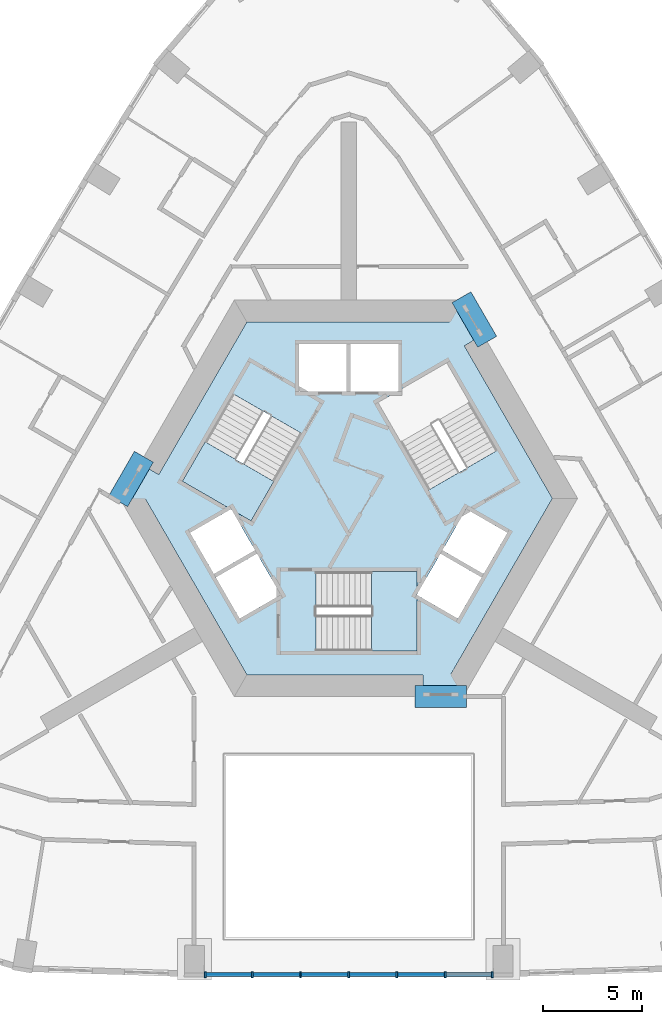
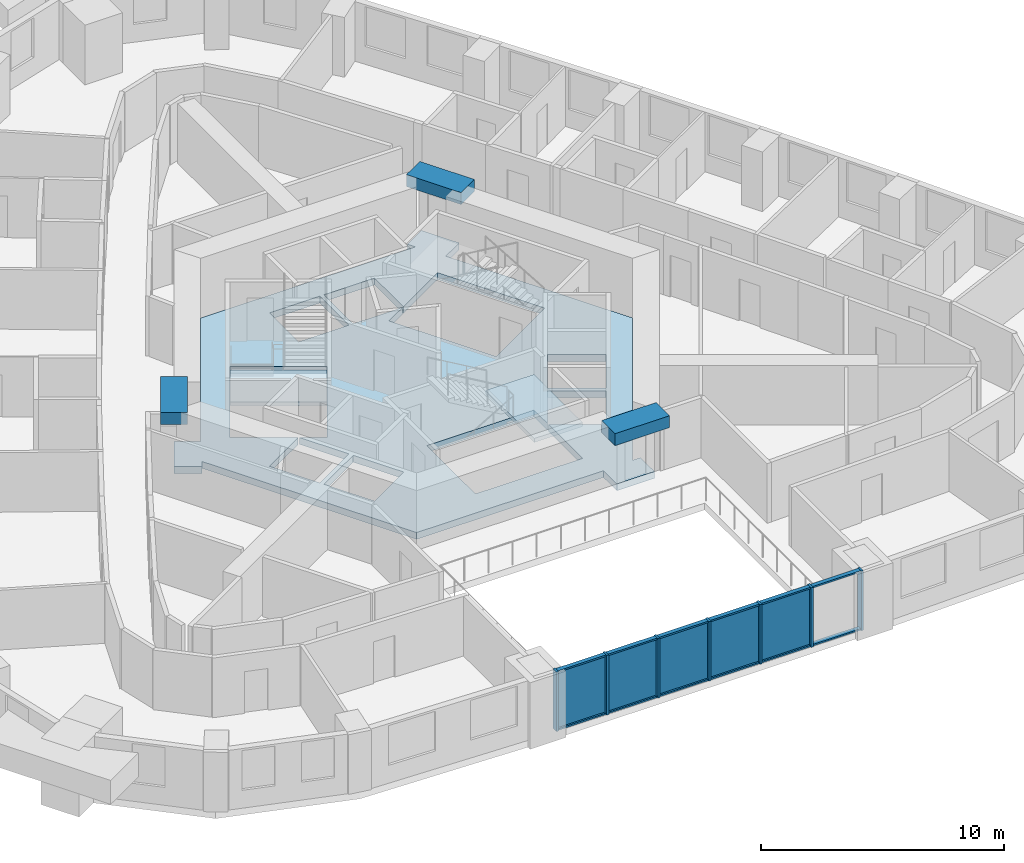
# One storey, part 2 of 12: 19 members, 5 plates, 3 beams, 3 slabs, 3 elements without a shape of their own.
"""IFC4 building model written with IfcOpenShell, lengths in metres."""

from ifc_helpers import new_model, si_unit, direction, frame, origin, origin_2d, place, context, subcontext, project, spatial, polyline, rectangle, outline, extrude, material, layer, layer_set, material_profile, profile_set, type_object, element, aggregate, save


model = new_model("IFC4")

# Units and contexts
model_context = context("Model", 3, precision=1e-05, world=origin(), true_north=direction((0.0, 1.0)))
body_context = subcontext(model_context, "Body", "Model", "MODEL_VIEW")
ifc_project = project(units=[si_unit("LENGTHUNIT", "METRE"), si_unit("AREAUNIT", "SQUARE_METRE"), si_unit("VOLUMEUNIT", "CUBIC_METRE"), si_unit("PLANEANGLEUNIT", "RADIAN"), si_unit("MASSUNIT", "GRAM", prefix="KILO")], contexts=[model_context])

# Site, building, storey
site_placement = place(None, origin())
site = spatial("IfcSite", under=ifc_project, at=site_placement, CompositionType="ELEMENT")
building_placement = place(site_placement, origin())
building = spatial("IfcBuilding", under=site, at=building_placement, Name="Entoto Arch Interchange Tower", CompositionType="ELEMENT")
storey_placement = place(building_placement, frame((0.0, 0.0, 277.39990234375)))
storey = spatial("IfcBuildingStorey", under=building, at=storey_placement, Name="L64", CompositionType="ELEMENT", Elevation=277.39990234375)

# Beams
ifc_material_1 = material(Name="Concrete C40/50", Category="concrete")
ifc_material_profile_1 = material_profile(ifc_material_1, rectangle(XDim=1.10009765625, YDim=0.60009765625, at=origin_2d()))
ifc_profile_set_1 = profile_set([ifc_material_profile_1], Name="Concrete C40/50")
beam_type = type_object("IfcBeamType", Name="Coupling beam RC 1100x600 C40/50", PredefinedType="BEAM", material=ifc_profile_set_1)
beam_1_placement = place(storey_placement, frame((6.986083984375, 10.40087890625, 2.7001953125), z_axis=(-0.500379508478, 0.865806183562, 0.0), x_axis=(-0.865806183562, -0.500379508478, 0.0)))
element("IfcBeam", 1, at=beam_1_placement, inside=storey, type_object=beam_type, Name="Coupling beam NE L64", PredefinedType="BEAM", context=body_context, shape_type="SweptSolid", body=[
    extrude(rectangle(XDim=1.10009765625, YDim=0.60009765625, at=origin_2d()), origin(), (0.0, 0.0, 1.0), 2.59423828125),
])
beam_2_placement = place(storey_placement, frame((-10.3359375, 4.59912109375, 2.7001953125), z_axis=(-0.499814819145, -0.866132291606, 0.0), x_axis=(0.866132291606, -0.499814819145, 0.0)))
element("IfcBeam", 2, at=beam_2_placement, inside=storey, type_object=beam_type, Name="Coupling beam NW L64", PredefinedType="BEAM", context=body_context, shape_type="SweptSolid", body=[
    extrude(rectangle(XDim=1.10009765625, YDim=0.60009765625, at=origin_2d()), origin(), (0.0, 0.0, 1.0), 2.59326171875),
])
beam_3_placement = place(storey_placement, frame((3.35009765625, -7.5, 2.7001953125), z_axis=(1.0, 0.0, 0.0), x_axis=(0.0, 1.0, 0.0)))
element("IfcBeam", 3, at=beam_3_placement, inside=storey, type_object=beam_type, Name="Coupling beam S L64", PredefinedType="BEAM", context=body_context, shape_type="SweptSolid", body=[
    extrude(rectangle(XDim=1.10009765625, YDim=0.60009765625, at=origin_2d()), origin(), (0.0, 0.0, 1.0), 2.593994140625),
])

# Curtain wall, members
ifc_material_2 = material(Name="Aluminium, anodised", Category="aluminium")
curtain_wall_type = type_object("IfcCurtainWallType", Name="CURTAIN WALL ATRIUM", PredefinedType="NOTDEFINED", material=ifc_material_2)
curtain_wall_placement = place(storey_placement, origin())
curtain_wall = element("IfcCurtainWall", 4, at=curtain_wall_placement, inside=storey, type_object=curtain_wall_type, Name="Atrium glazing S-02 L64", PredefinedType="NOTDEFINED")
ifc_material_profile_2 = material_profile(ifc_material_2, rectangle(XDim=0.300048828125, YDim=0.10009765625, at=origin_2d()))
ifc_profile_set_2 = profile_set([ifc_material_profile_2], Name="Aluminium, anodised")
member_type_1 = type_object("IfcMemberType", Name="MULLION ATRIUM 100x300", PredefinedType="MULLION", material=ifc_profile_set_2)
member_1_placement = place(storey_placement, frame((-7.2490234375, -21.52490234375, 0.0), z_axis=(0.0, 0.0, 1.0), x_axis=(0.0, 1.0, 0.0)))
member_1 = element("IfcMember", 5, at=member_1_placement, type_object=member_type_1, Name="CWA mullion 1", PredefinedType="MULLION", context=body_context, shape_type="SweptSolid", body=[
    extrude(rectangle(XDim=0.300048828125, YDim=0.10009765625, at=origin_2d()), origin(), (0.0, 0.0, 1.0), 3.0),
])
member_2_placement = place(storey_placement, frame((-4.865966796875, -21.52490234375, 0.0), z_axis=(0.0, 0.0, 1.0), x_axis=(0.0, 1.0, 0.0)))
member_2 = element("IfcMember", 6, at=member_2_placement, type_object=member_type_1, Name="CWA mullion 2", PredefinedType="MULLION", context=body_context, shape_type="SweptSolid", body=[
    extrude(rectangle(XDim=0.300048828125, YDim=0.10009765625, at=origin_2d()), origin(), (0.0, 0.0, 1.0), 3.0),
])
member_3_placement = place(storey_placement, frame((-2.43310546875, -21.52490234375, 0.0), z_axis=(0.0, 0.0, 1.0), x_axis=(0.0, 1.0, 0.0)))
member_3 = element("IfcMember", 7, at=member_3_placement, type_object=member_type_1, Name="CWA mullion 3", PredefinedType="MULLION", context=body_context, shape_type="SweptSolid", body=[
    extrude(rectangle(XDim=0.300048828125, YDim=0.10009765625, at=origin_2d()), origin(), (0.0, 0.0, 1.0), 3.0),
])
member_4_placement = place(storey_placement, frame((0.0, -21.52490234375, 0.0), z_axis=(0.0, 0.0, 1.0), x_axis=(0.0, 1.0, 0.0)))
member_4 = element("IfcMember", 8, at=member_4_placement, type_object=member_type_1, Name="CWA mullion 4", PredefinedType="MULLION", context=body_context, shape_type="SweptSolid", body=[
    extrude(rectangle(XDim=0.300048828125, YDim=0.10009765625, at=origin_2d()), origin(), (0.0, 0.0, 1.0), 3.0),
])
member_5_placement = place(storey_placement, frame((2.43310546875, -21.52490234375, 0.0), z_axis=(0.0, 0.0, 1.0), x_axis=(0.0, 1.0, 0.0)))
member_5 = element("IfcMember", 9, at=member_5_placement, type_object=member_type_1, Name="CWA mullion 5", PredefinedType="MULLION", context=body_context, shape_type="SweptSolid", body=[
    extrude(rectangle(XDim=0.300048828125, YDim=0.10009765625, at=origin_2d()), origin(), (0.0, 0.0, 1.0), 3.0),
])
member_6_placement = place(storey_placement, frame((4.865966796875, -21.52490234375, 0.0), z_axis=(0.0, 0.0, 1.0), x_axis=(0.0, 1.0, 0.0)))
member_6 = element("IfcMember", 10, at=member_6_placement, type_object=member_type_1, Name="CWA mullion 6", PredefinedType="MULLION", context=body_context, shape_type="SweptSolid", body=[
    extrude(rectangle(XDim=0.300048828125, YDim=0.10009765625, at=origin_2d()), origin(), (0.0, 0.0, 1.0), 3.0),
])
member_7_placement = place(storey_placement, frame((7.2490234375, -21.52490234375, 0.0), z_axis=(0.0, 0.0, 1.0), x_axis=(0.0, 1.0, 0.0)))
member_7 = element("IfcMember", 11, at=member_7_placement, type_object=member_type_1, Name="CWA mullion 7", PredefinedType="MULLION", context=body_context, shape_type="SweptSolid", body=[
    extrude(rectangle(XDim=0.300048828125, YDim=0.10009765625, at=origin_2d()), origin(), (0.0, 0.0, 1.0), 3.0),
])
ifc_material_profile_3 = material_profile(ifc_material_2, rectangle(XDim=0.199951171875, YDim=0.080078125, at=origin_2d()))
ifc_profile_set_3 = profile_set([ifc_material_profile_3], Name="Aluminium, anodised")
member_type_2 = type_object("IfcMemberType", Name="TRANSOM ATRIUM 80x200", PredefinedType="USERDEFINED", material=ifc_profile_set_3)
member_8_placement = place(storey_placement, frame((-7.198974609375, -21.52490234375, 0.0400390625), z_axis=(1.0, 0.0, 0.0), x_axis=(0.0, 1.0, 0.0)))
member_8 = element("IfcMember", 12, at=member_8_placement, type_object=member_type_2, Name="CWA transom 1.1", ObjectType="TRANSOM", PredefinedType="USERDEFINED", context=body_context, shape_type="SweptSolid", body=[
    extrude(rectangle(XDim=0.199951171875, YDim=0.080078125, at=origin_2d()), origin(), (0.0, 0.0, 1.0), 2.282958984375),
])
member_9_placement = place(storey_placement, frame((-7.198974609375, -21.52490234375, 2.960205078125), z_axis=(1.0, 0.0, 0.0), x_axis=(0.0, 1.0, 0.0)))
member_9 = element("IfcMember", 13, at=member_9_placement, type_object=member_type_2, Name="CWA transom 1.2", ObjectType="TRANSOM", PredefinedType="USERDEFINED", context=body_context, shape_type="SweptSolid", body=[
    extrude(rectangle(XDim=0.199951171875, YDim=0.080078125, at=origin_2d()), origin(), (0.0, 0.0, 1.0), 2.282958984375),
])
member_10_placement = place(storey_placement, frame((-4.81591796875, -21.52490234375, 0.0400390625), z_axis=(1.0, 0.0, 0.0), x_axis=(0.0, 1.0, 0.0)))
member_10 = element("IfcMember", 14, at=member_10_placement, type_object=member_type_2, Name="CWA transom 2.1", ObjectType="TRANSOM", PredefinedType="USERDEFINED", context=body_context, shape_type="SweptSolid", body=[
    extrude(rectangle(XDim=0.199951171875, YDim=0.080078125, at=origin_2d()), origin(), (0.0, 0.0, 1.0), 2.3330078125),
])
member_11_placement = place(storey_placement, frame((-4.81591796875, -21.52490234375, 2.960205078125), z_axis=(1.0, 0.0, 0.0), x_axis=(0.0, 1.0, 0.0)))
member_11 = element("IfcMember", 15, at=member_11_placement, type_object=member_type_2, Name="CWA transom 2.2", ObjectType="TRANSOM", PredefinedType="USERDEFINED", context=body_context, shape_type="SweptSolid", body=[
    extrude(rectangle(XDim=0.199951171875, YDim=0.080078125, at=origin_2d()), origin(), (0.0, 0.0, 1.0), 2.3330078125),
])
member_12_placement = place(storey_placement, frame((-2.383056640625, -21.52490234375, 0.0400390625), z_axis=(1.0, 0.0, 0.0), x_axis=(0.0, 1.0, 0.0)))
member_12 = element("IfcMember", 16, at=member_12_placement, type_object=member_type_2, Name="CWA transom 3.1", ObjectType="TRANSOM", PredefinedType="USERDEFINED", context=body_context, shape_type="SweptSolid", body=[
    extrude(rectangle(XDim=0.199951171875, YDim=0.080078125, at=origin_2d()), origin(), (0.0, 0.0, 1.0), 2.3330078125),
])
member_13_placement = place(storey_placement, frame((-2.383056640625, -21.52490234375, 2.960205078125), z_axis=(1.0, 0.0, 0.0), x_axis=(0.0, 1.0, 0.0)))
member_13 = element("IfcMember", 17, at=member_13_placement, type_object=member_type_2, Name="CWA transom 3.2", ObjectType="TRANSOM", PredefinedType="USERDEFINED", context=body_context, shape_type="SweptSolid", body=[
    extrude(rectangle(XDim=0.199951171875, YDim=0.080078125, at=origin_2d()), origin(), (0.0, 0.0, 1.0), 2.3330078125),
])
member_14_placement = place(storey_placement, frame((0.050048828125, -21.52490234375, 0.0400390625), z_axis=(1.0, 0.0, 0.0), x_axis=(0.0, 1.0, 0.0)))
member_14 = element("IfcMember", 18, at=member_14_placement, type_object=member_type_2, Name="CWA transom 4.1", ObjectType="TRANSOM", PredefinedType="USERDEFINED", context=body_context, shape_type="SweptSolid", body=[
    extrude(rectangle(XDim=0.199951171875, YDim=0.080078125, at=origin_2d()), origin(), (0.0, 0.0, 1.0), 2.3330078125),
])
member_15_placement = place(storey_placement, frame((0.050048828125, -21.52490234375, 2.960205078125), z_axis=(1.0, 0.0, 0.0), x_axis=(0.0, 1.0, 0.0)))
member_15 = element("IfcMember", 19, at=member_15_placement, type_object=member_type_2, Name="CWA transom 4.2", ObjectType="TRANSOM", PredefinedType="USERDEFINED", context=body_context, shape_type="SweptSolid", body=[
    extrude(rectangle(XDim=0.199951171875, YDim=0.080078125, at=origin_2d()), origin(), (0.0, 0.0, 1.0), 2.3330078125),
])
member_16_placement = place(storey_placement, frame((2.48291015625, -21.52490234375, 0.0400390625), z_axis=(1.0, 0.0, 0.0), x_axis=(0.0, 1.0, 0.0)))
member_16 = element("IfcMember", 20, at=member_16_placement, type_object=member_type_2, Name="CWA transom 5.1", ObjectType="TRANSOM", PredefinedType="USERDEFINED", context=body_context, shape_type="SweptSolid", body=[
    extrude(rectangle(XDim=0.199951171875, YDim=0.080078125, at=origin_2d()), origin(), (0.0, 0.0, 1.0), 2.3330078125),
])
member_17_placement = place(storey_placement, frame((2.48291015625, -21.52490234375, 2.960205078125), z_axis=(1.0, 0.0, 0.0), x_axis=(0.0, 1.0, 0.0)))
member_17 = element("IfcMember", 21, at=member_17_placement, type_object=member_type_2, Name="CWA transom 5.2", ObjectType="TRANSOM", PredefinedType="USERDEFINED", context=body_context, shape_type="SweptSolid", body=[
    extrude(rectangle(XDim=0.199951171875, YDim=0.080078125, at=origin_2d()), origin(), (0.0, 0.0, 1.0), 2.3330078125),
])
member_18_placement = place(storey_placement, frame((4.916015625, -21.52490234375, 0.0400390625), z_axis=(1.0, 0.0, 0.0), x_axis=(0.0, 1.0, 0.0)))
member_18 = element("IfcMember", 22, at=member_18_placement, type_object=member_type_2, Name="CWA transom 6.1", ObjectType="TRANSOM", PredefinedType="USERDEFINED", context=body_context, shape_type="SweptSolid", body=[
    extrude(rectangle(XDim=0.199951171875, YDim=0.080078125, at=origin_2d()), origin(), (0.0, 0.0, 1.0), 2.282958984375),
])
member_19_placement = place(storey_placement, frame((4.916015625, -21.52490234375, 2.960205078125), z_axis=(1.0, 0.0, 0.0), x_axis=(0.0, 1.0, 0.0)))
member_19 = element("IfcMember", 23, at=member_19_placement, type_object=member_type_2, Name="CWA transom 6.2", ObjectType="TRANSOM", PredefinedType="USERDEFINED", context=body_context, shape_type="SweptSolid", body=[
    extrude(rectangle(XDim=0.199951171875, YDim=0.080078125, at=origin_2d()), origin(), (0.0, 0.0, 1.0), 2.282958984375),
])

# Slab
ifc_layer_1 = layer(ifc_material_1, 0.340087890625)
ifc_layer_set_1 = layer_set([ifc_layer_1], Name="Concrete C40/50")
slab_type_1 = type_object("IfcSlabType", Name="Core floor slab 340 C40/50", PredefinedType="FLOOR", material=ifc_layer_set_1)
slab_1_placement = place(storey_placement, frame((0.0, 0.0, -0.33984375)))
element("IfcSlab", 24, at=slab_1_placement, inside=storey, type_object=slab_type_1, Name="Core floor slab L64", PredefinedType="FLOOR", context=body_context, shape_type="SweptSolid", body=[
    extrude(outline(polyline([(-10.248046875, 2.449951171875), (-10.43701171875, 2.1240234375), (-11.431884765625, 2.698974609375), (-10.535888671875, 4.2529296875), (-9.5830078125, 3.702880859375), (-5.137939453125, 11.39990234375), (5.0810546875, 11.39990234375), (4.89306640625, 11.72607421875), (5.887939453125, 12.301025390625), (6.784912109375, 10.7470703125), (5.8330078125, 10.197021484375), (10.277099609375, 2.5), (5.1669921875, -6.35009765625), (5.5439453125, -6.35009765625), (5.5439453125, -7.5), (3.75, -7.5), (3.75, -6.39990234375), (-5.137939453125, -6.39990234375), (-10.248046875, 2.449951171875)]), holes=[polyline([(-1.64990234375, -5.199951171875), (3.449951171875, -5.199951171875), (3.449951171875, -2.3779296875), (5.5048828125, -3.56494140625), (6.705078125, -1.487060546875), (4.626953125, -0.287109375), (3.449951171875, -2.324951171875), (3.449951171875, -1.199951171875), (-1.64990234375, -1.199951171875), (-1.64990234375, -5.199951171875)]), polyline([(-4.626953125, -0.287109375), (-6.705078125, -1.487060546875), (-5.5048828125, -3.56494140625), (-3.427001953125, -2.364990234375), (-4.626953125, -0.287109375)]), polyline([(-5.904052734375, 1.925048828125), (-4.928955078125, 1.362060546875), (-2.37890625, 5.779052734375), (-5.843017578125, 7.779052734375), (-8.39306640625, 3.362060546875), (-5.949951171875, 1.951904296875), (-8.0048828125, 0.764892578125), (-6.804931640625, -1.31298828125), (-4.72705078125, -0.113037109375), (-5.904052734375, 1.925048828125)]), polyline([(4.72705078125, -0.113037109375), (6.804931640625, -1.31298828125), (8.0048828125, 0.764892578125), (5.927001953125, 1.965087890625), (4.72705078125, -0.113037109375)]), polyline([(2.5, 7.927001953125), (2.5, 10.300048828125), (0.10009765625, 10.300048828125), (0.10009765625, 7.89990234375), (2.452880859375, 7.89990234375), (1.47900390625, 7.337890625), (4.029052734375, 2.9208984375), (7.492919921875, 4.9208984375), (4.943115234375, 9.337890625), (2.5, 7.927001953125)]), polyline([(-2.5, 7.89990234375), (-0.10009765625, 7.89990234375), (-0.10009765625, 10.300048828125), (-2.5, 10.300048828125), (-2.5, 7.89990234375)])]), origin(), (0.0, 0.0, 1.0), 0.33984375),
])

# Stair, slab
stair_type = type_object("IfcStairType", Name="EXIT STAIR RC 1800", PredefinedType="HALF_TURN_STAIR", material=ifc_material_1)
stair_1_placement = place(storey_placement, origin())
stair_1 = element("IfcStair", 25, at=stair_1_placement, inside=storey, type_object=stair_type, Name="L64 Exit stair S", PredefinedType="HALF_TURN_STAIR")
ifc_layer_2 = layer(ifc_material_1, 0.199951171875)
ifc_layer_set_2 = layer_set([ifc_layer_2], Name="Concrete C40/50")
slab_type_2 = type_object("IfcSlabType", Name="EXIT STAIR LANDING RC 200", PredefinedType="LANDING", material=ifc_layer_set_2)
slab_2_placement = place(storey_placement, frame((0.0, 0.0, 1.60009765625)))
slab_2 = element("IfcSlab", 26, at=slab_2_placement, type_object=slab_type_2, Name="ST-S landing 1", PredefinedType="LANDING", context=body_context, shape_type="SweptSolid", body=[
    extrude(outline(polyline([(1.14990234375, -5.199951171875), (3.449951171875, -5.199951171875), (3.449951171875, -1.199951171875), (1.14990234375, -1.199951171875), (1.14990234375, -5.199951171875)])), origin(), (0.0, 0.0, 1.0), 0.199951171875),
])
aggregate(stair_1, [slab_2])

stair_2_placement = place(storey_placement, origin())
stair_2 = element("IfcStair", 27, at=stair_2_placement, inside=storey, type_object=stair_type, Name="L64 Exit stair NW", PredefinedType="HALF_TURN_STAIR")
slab_3_placement = place(storey_placement, frame((0.0, 0.0, 1.60009765625)))
slab_3 = element("IfcSlab", 28, at=slab_3_placement, type_object=slab_type_2, Name="ST-NW landing 1", PredefinedType="LANDING", context=body_context, shape_type="SweptSolid", body=[
    extrude(outline(polyline([(-7.243408203125, 5.35400390625), (-8.393310546875, 3.3623046875), (-4.92919921875, 1.3623046875), (-3.779296875, 3.35400390625), (-7.243408203125, 5.35400390625)])), origin(), (0.0, 0.0, 1.0), 0.199951171875),
])
aggregate(stair_2, [slab_3])

# Plate
ifc_material_3 = material(Name="Clear glass, low-e double glazed", Category="glass")
ifc_layer_3 = layer(ifc_material_3, 0.031982421875)
ifc_layer_set_3 = layer_set([ifc_layer_3], Name="Clear glass, low-e double glazed")
plate_type = type_object("IfcPlateType", Name="GLAZING PANEL ATRIUM 32", PredefinedType="CURTAIN_PANEL", material=ifc_layer_set_3)
plate_1_placement = place(storey_placement, frame((-6.0576171875, -21.52490234375, 0.080078125), z_axis=(0.0, 0.0, 1.0), x_axis=(1.0, 0.0, 0.0)))
plate_1 = element("IfcPlate", 29, at=plate_1_placement, type_object=plate_type, Name="CWA panel 1.1", PredefinedType="CURTAIN_PANEL", context=body_context, shape_type="SweptSolid", body=[
    extrude(rectangle(XDim=2.282958984375, YDim=0.031982421875, at=origin_2d()), origin(), (0.0, 0.0, 1.0), 2.840087890625),
])

plate_2_placement = place(storey_placement, frame((-3.6494140625, -21.52490234375, 0.080078125), z_axis=(0.0, 0.0, 1.0), x_axis=(1.0, 0.0, 0.0)))
plate_2 = element("IfcPlate", 30, at=plate_2_placement, type_object=plate_type, Name="CWA panel 2.1", PredefinedType="CURTAIN_PANEL", context=body_context, shape_type="SweptSolid", body=[
    extrude(rectangle(XDim=2.3330078125, YDim=0.031982421875, at=origin_2d()), origin(), (0.0, 0.0, 1.0), 2.840087890625),
])

plate_3_placement = place(storey_placement, frame((-1.216552734375, -21.52490234375, 0.080078125), z_axis=(0.0, 0.0, 1.0), x_axis=(1.0, 0.0, 0.0)))
plate_3 = element("IfcPlate", 31, at=plate_3_placement, type_object=plate_type, Name="CWA panel 3.1", PredefinedType="CURTAIN_PANEL", context=body_context, shape_type="SweptSolid", body=[
    extrude(rectangle(XDim=2.3330078125, YDim=0.031982421875, at=origin_2d()), origin(), (0.0, 0.0, 1.0), 2.840087890625),
])

plate_4_placement = place(storey_placement, frame((1.216552734375, -21.52490234375, 0.080078125), z_axis=(0.0, 0.0, 1.0), x_axis=(1.0, 0.0, 0.0)))
plate_4 = element("IfcPlate", 32, at=plate_4_placement, type_object=plate_type, Name="CWA panel 4.1", PredefinedType="CURTAIN_PANEL", context=body_context, shape_type="SweptSolid", body=[
    extrude(rectangle(XDim=2.3330078125, YDim=0.031982421875, at=origin_2d()), origin(), (0.0, 0.0, 1.0), 2.840087890625),
])

plate_5_placement = place(storey_placement, frame((3.6494140625, -21.52490234375, 0.080078125), z_axis=(0.0, 0.0, 1.0), x_axis=(1.0, 0.0, 0.0)))
plate_5 = element("IfcPlate", 33, at=plate_5_placement, type_object=plate_type, Name="CWA panel 5.1", PredefinedType="CURTAIN_PANEL", context=body_context, shape_type="SweptSolid", body=[
    extrude(rectangle(XDim=2.3330078125, YDim=0.031982421875, at=origin_2d()), origin(), (0.0, 0.0, 1.0), 2.840087890625),
])

aggregate(curtain_wall, [member_1, member_2, member_3, member_4, member_5, member_6, member_7, member_8, member_9, plate_1, member_10, member_11, plate_2, member_12, member_13, plate_3, member_14, member_15, plate_4, member_16, member_17, plate_5, member_18, member_19])

save(model, "model.ifc")
